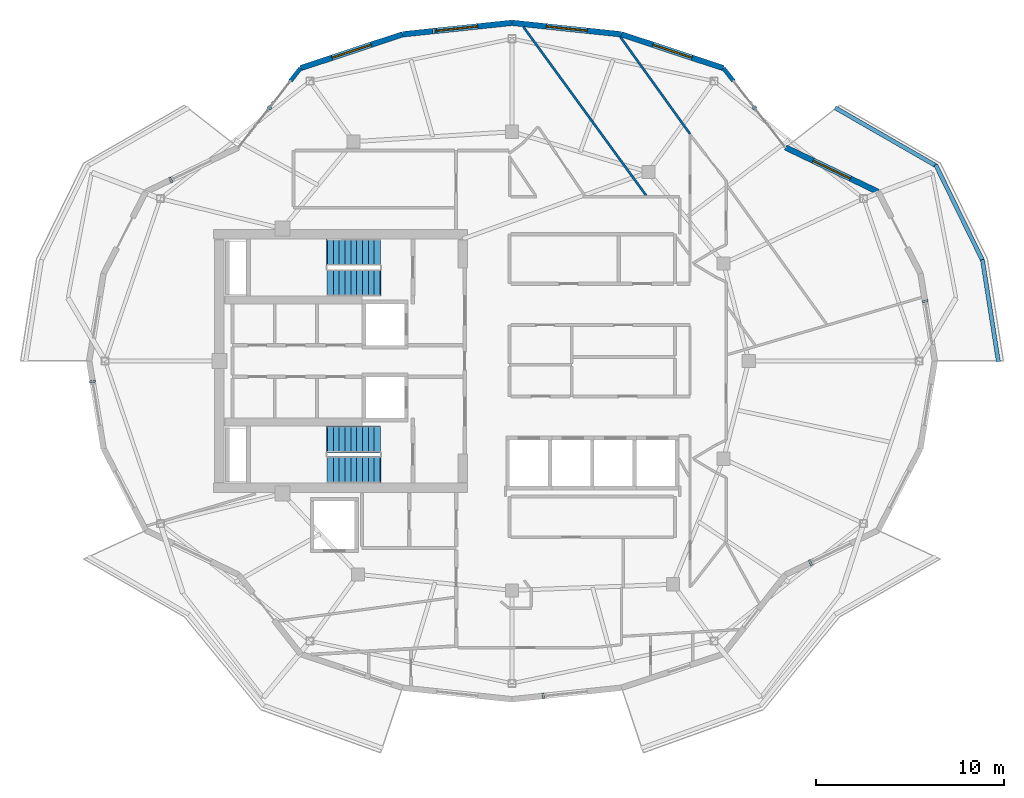
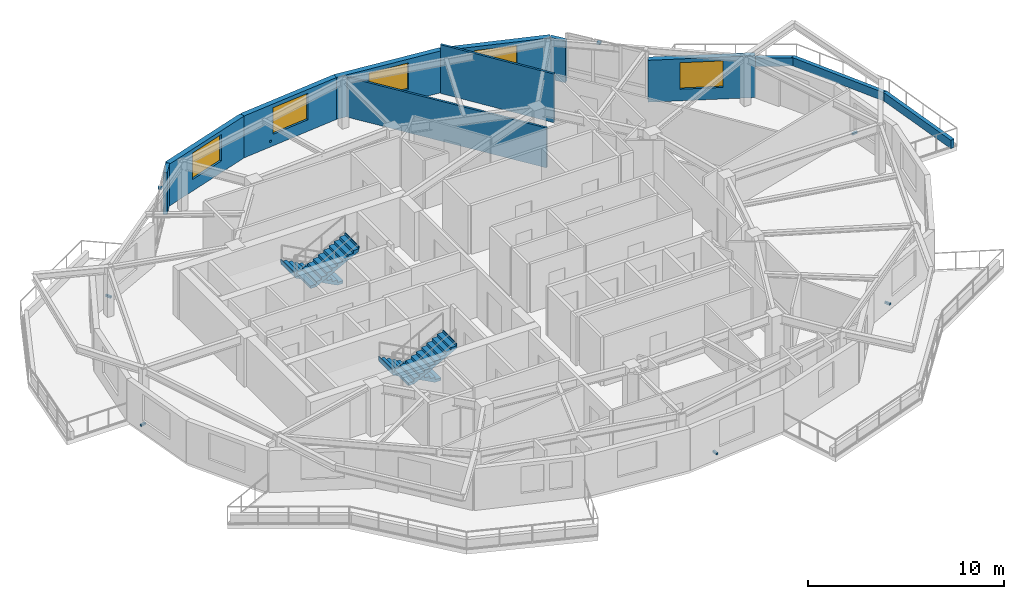
# One storey, part 11 of 14: 12 walls, 8 discrete accessories, 5 windows, 4 stair flights, 5 openings, 2 elements without a shape of their own.
"""IFC4 building model written with IfcOpenShell, lengths in metres."""

from ifc_helpers import new_model, si_unit, direction, frame, frame_2d, origin, origin_2d, place, context, subcontext, project, spatial, polyline, rectangle, outline, extrude, material, layer, layer_set, type_object, element, fill, aggregate, save


model = new_model("IFC4")

# Units and contexts
model_context = context("Model", 3, precision=1e-05, world=origin(), true_north=direction((0.0, 1.0)))
body_context = subcontext(model_context, "Body", "Model", "MODEL_VIEW")
ifc_project = project(units=[si_unit("LENGTHUNIT", "METRE"), si_unit("AREAUNIT", "SQUARE_METRE"), si_unit("VOLUMEUNIT", "CUBIC_METRE"), si_unit("PLANEANGLEUNIT", "RADIAN"), si_unit("MASSUNIT", "GRAM", prefix="KILO")], contexts=[model_context])

# Site, building, storey
site_placement = place(None, origin())
site = spatial("IfcSite", under=ifc_project, at=site_placement, CompositionType="ELEMENT")
building_placement = place(site_placement, origin())
building = spatial("IfcBuilding", under=site, at=building_placement, Name="Kolvaren Gate Tower and Convention Centre", CompositionType="ELEMENT")
storey_placement = place(building_placement, frame((0.0, 0.0, 245.89990234375)))
storey = spatial("IfcBuildingStorey", under=building, at=storey_placement, Name="L66", CompositionType="ELEMENT", Elevation=245.89990234375)

# Walls
ifc_material_1 = material(Name="Fire-Rated Acoustic Gypsum Stud Partition", Category="gypsum")
ifc_layer_1 = layer(ifc_material_1, 0.1201171875)
ifc_layer_set_1 = layer_set([ifc_layer_1], Name="Fire-Rated Acoustic Gypsum Stud Partition")
wall_type_1 = type_object("IfcWallType", Name="ARCH-WL-PART-120", PredefinedType="PARTITIONING", material=ifc_layer_set_1)
wall_1_placement = place(storey_placement, frame((30.72998046875, 44.783447265625, 0.0), z_axis=(0.0, 0.0, 1.0), x_axis=(0.588659483045, -0.808381106299, 0.0)))
element("IfcWall", 1, at=wall_1_placement, inside=storey, type_object=wall_type_1, Name="Interior Partition WL-L66-INT-081", PredefinedType="PARTITIONING", context=body_context, shape_type="SweptSolid", body=[
    extrude(rectangle(XDim=11.09814453125, YDim=0.1201171875, at=frame_2d((5.549072265625, 0.0))), origin(), (0.0, 0.0, 1.0), 2.47802734375),
])
wall_2_placement = place(storey_placement, frame((35.89599609375, 44.239501953125, 0.0), z_axis=(0.0, 0.0, 1.0), x_axis=(0.583414962814, -0.812174230793, 0.0)))
element("IfcWall", 2, at=wall_2_placement, inside=storey, type_object=wall_type_1, Name="Interior Partition WL-L66-INT-084", PredefinedType="PARTITIONING", context=body_context, shape_type="SweptSolid", body=[
    extrude(rectangle(XDim=6.34912109375, YDim=0.1201171875, at=frame_2d((3.174560546875, 0.0))), origin(), (0.0, 0.0, 1.0), 3.030029296875),
])
ifc_material_2 = material(Name="Bogota Sabana Bush-Hammered Sandstone Cladding", Category="masonry")
ifc_layer_2 = layer(ifc_material_2, 0.219970703125)
ifc_layer_set_2 = layer_set([ifc_layer_2], Name="Bogota Sabana Bush-Hammered Sandstone Cladding")
wall_type_2 = type_object("IfcWallType", Name="ARCH-WL-PIER-220", PredefinedType="SOLIDWALL", material=ifc_layer_set_2)
for number, where, z_axis, x_axis, name in (
    (3, (41.375, 42.58837890625, 0.0), (0.0, 0.0, 1.0), (0.61650363284, -0.787352062736, 0.0), "Tower L66 Unitised Curtain Wall CW-RES-UNIT Bay 03 Left Column Pier Wrap"),
    (4, (18.3349609375, 41.898681640625, 0.0), (0.0, 0.0, 1.0), (0.61650363284, 0.787352062736, 0.0), "Tower L66 Unitised Curtain Wall CW-RES-UNIT Bay 08 Right Column Pier Wrap"),
):
    element("IfcWall", number, at=place(storey_placement, frame(where, z_axis=z_axis, x_axis=x_axis)), inside=storey, type_object=wall_type_2, Name=name, PredefinedType="SOLIDWALL", context=body_context, shape_type="SweptSolid", body=[
        extrude(rectangle(XDim=0.8759765625, YDim=0.219970703125, at=frame_2d((0.43798828125, 0.0))), origin(), (0.0, 0.0, 1.0), 2.60498046875),
    ])
ifc_material_3 = material(Name="Piedmont Cream Honed Limestone Cladding", Category="masonry")
ifc_layer_3 = layer(ifc_material_3, 0.219970703125)
ifc_layer_set_3 = layer_set([ifc_layer_3], Name="Piedmont Cream Honed Limestone Cladding")
wall_type_3 = type_object("IfcWallType", Name="ARCH-WL-PLANTER-220", PredefinedType="PARAPET", material=ifc_layer_set_3)
wall_3_placement = place(storey_placement, frame((55.158447265625, 32.396484375, 0.0), z_axis=(0.0, 0.0, 1.0), x_axis=(0.154441975483, -0.988001860428, 0.0)))
element("IfcWall", 5, at=wall_3_placement, inside=storey, type_object=wall_type_3, Name="Vertical-Forest Balcony Stone Planter Kerb PK-L66-1.1", PredefinedType="PARAPET", context=body_context, shape_type="SweptSolid", body=[
    extrude(rectangle(XDim=5.49169921875, YDim=0.219970703125, at=frame_2d((2.745849609375, 0.0))), origin(), (0.0, 0.0, 1.0), 0.52001953125),
])
wall_4_placement = place(storey_placement, frame((52.66748046875, 37.446533203125, 0.0), z_axis=(0.0, 0.0, 1.0), x_axis=(0.440058847499, -0.897968936399, 0.0)))
element("IfcWall", 6, at=wall_4_placement, inside=storey, type_object=wall_type_3, Name="Vertical-Forest Balcony Stone Planter Kerb PK-L66-1.2", PredefinedType="PARAPET", context=body_context, shape_type="SweptSolid", body=[
    extrude(rectangle(XDim=5.689453125, YDim=0.219970703125, at=frame_2d((2.8447265625, 0.0))), origin(), (0.0, 0.0, 1.0), 0.52001953125),
])
wall_5_placement = place(storey_placement, frame((47.3212890625, 40.4794921875, 0.0), z_axis=(0.0, 0.0, 1.0), x_axis=(0.866901621005, -0.49847926687, 0.0)))
element("IfcWall", 7, at=wall_5_placement, inside=storey, type_object=wall_type_3, Name="Vertical-Forest Balcony Stone Planter Kerb PK-L66-1.3", PredefinedType="PARAPET", context=body_context, shape_type="SweptSolid", body=[
    extrude(rectangle(XDim=6.196533203125, YDim=0.219970703125, at=frame_2d((3.09814453125, 0.0))), origin(), (0.0, 0.0, 1.0), 0.52001953125),
])

# Wall, opening, window
ifc_layer_4 = layer(ifc_material_3, 0.300048828125)
ifc_layer_set_4 = layer_set([ifc_layer_4], Name="Piedmont Cream Honed Limestone Cladding")
wall_type_4 = type_object("IfcWallType", Name="ARCH-WL-STONE-300", PredefinedType="SOLIDWALL", material=ifc_layer_set_4)
wall_6_placement = place(storey_placement, frame((44.67724609375, 38.370361328125, 0.0), z_axis=(0.0, 0.0, 1.0), x_axis=(0.901355238351, -0.433080517106, 0.0)))
wall_6 = element("IfcWall", 8, at=wall_6_placement, inside=storey, type_object=wall_type_4, Name="Tower L66 Honed Stone Spandrel Wall EW-02", PredefinedType="SOLIDWALL", context=body_context, shape_type="SweptSolid", body=[
    extrude(rectangle(XDim=5.47314453125, YDim=0.300048828125, at=frame_2d((2.736572265625, 0.0))), origin(), (0.0, 0.0, 1.0), 2.60498046875),
])
opening_1_placement = place(wall_6_placement, frame((1.636962890625, 0.0, 0.719970703125)))
opening_1 = element("IfcOpeningElement", 9, at=opening_1_placement, cuts=wall_6, Name="Opening W-03", PredefinedType="OPENING", context=body_context, shape_type="SweptSolid", body=[
    extrude(rectangle(XDim=2.199951171875, YDim=1.64990234375, at=frame_2d((1.10009765625, 0.824951171875))), frame((0.0, 0.159912109375, 0.0), z_axis=(0.0, -1.0, 0.0), x_axis=(1.0, 0.0, 0.0)), (0.0, 0.0, 1.0), 0.320068359375),
])
ifc_material_4 = material(Name="Low-E Triple Insulated Glazing Unit 44 mm", Category="glass")
window_type = type_object("IfcWindowType", Name="ARCH-WN-RES-2200", PartitioningType="SINGLE_PANEL", PredefinedType="WINDOW", material=ifc_material_4)
window_1_placement = place(opening_1_placement, origin())
window_1 = element("IfcWindow", 10, at=window_1_placement, inside=storey, type_object=window_type, Name="Tower L66 Punched Stone Facade Window W-02", OverallHeight=1.64990234375, OverallWidth=2.199951171875, PartitioningType="SINGLE_PANEL", PredefinedType="WINDOW", context=body_context, shape_type="SweptSolid", body=[
    extrude(rectangle(XDim=2.199951171875, YDim=1.64990234375, at=frame_2d((1.10009765625, 0.824951171875))), frame((0.0, 0.030029296875, 0.0), z_axis=(0.0, -1.0, 0.0), x_axis=(1.0, 0.0, 0.0)), (0.0, 0.0, 1.0), 0.06005859375),
])
fill(opening_1, window_1)

wall_7_placement = place(storey_placement, frame((35.948486328125, 44.38671875, 0.0), z_axis=(0.0, 0.0, 1.0), x_axis=(0.949232769585, -0.314574552605, 0.0)))
wall_7 = element("IfcWall", 11, at=wall_7_placement, inside=storey, type_object=wall_type_4, Name="Tower L66 Honed Stone Spandrel Wall EW-04", PredefinedType="SOLIDWALL", context=body_context, shape_type="SweptSolid", body=[
    extrude(rectangle(XDim=5.716796875, YDim=0.300048828125, at=frame_2d((2.8583984375, 0.0))), origin(), (0.0, 0.0, 1.0), 2.60498046875),
])
opening_2_placement = place(wall_7_placement, frame((1.758056640625, 0.0, 0.719970703125)))
opening_2 = element("IfcOpeningElement", 12, at=opening_2_placement, cuts=wall_7, Name="Opening W-03", PredefinedType="OPENING", context=body_context, shape_type="SweptSolid", body=[
    extrude(rectangle(XDim=2.199951171875, YDim=1.64990234375, at=frame_2d((1.10009765625, 0.824951171875))), frame((0.0, 0.159912109375, 0.0), z_axis=(0.0, -1.0, 0.0), x_axis=(1.0, 0.0, 0.0)), (0.0, 0.0, 1.0), 0.320068359375),
])
window_2_placement = place(opening_2_placement, origin())
window_2 = element("IfcWindow", 13, at=window_2_placement, inside=storey, type_object=window_type, Name="Tower L66 Punched Stone Facade Window W-04", OverallHeight=1.64990234375, OverallWidth=2.199951171875, PartitioningType="SINGLE_PANEL", PredefinedType="WINDOW", context=body_context, shape_type="SweptSolid", body=[
    extrude(rectangle(XDim=2.199951171875, YDim=1.64990234375, at=frame_2d((1.10009765625, 0.824951171875))), frame((0.0, 0.030029296875, 0.0), z_axis=(0.0, -1.0, 0.0), x_axis=(1.0, 0.0, 0.0)), (0.0, 0.0, 1.0), 0.06005859375),
])
fill(opening_2, window_2)

wall_8_placement = place(storey_placement, frame((30.125, 45.0, 0.0), z_axis=(0.0, 0.0, 1.0), x_axis=(0.994500425783, -0.10473253132, 0.0)))
wall_8 = element("IfcWall", 14, at=wall_8_placement, inside=storey, type_object=wall_type_4, Name="Tower L66 Honed Stone Spandrel Wall EW-05", PredefinedType="SOLIDWALL", context=body_context, shape_type="SweptSolid", body=[
    extrude(rectangle(XDim=5.855712890625, YDim=0.300048828125, at=frame_2d((2.927734375, 0.0))), origin(), (0.0, 0.0, 1.0), 2.60498046875),
])
opening_3_placement = place(wall_8_placement, frame((1.827880859375, 0.0, 0.719970703125)))
opening_3 = element("IfcOpeningElement", 15, at=opening_3_placement, cuts=wall_8, Name="Opening W-03", PredefinedType="OPENING", context=body_context, shape_type="SweptSolid", body=[
    extrude(rectangle(XDim=2.199951171875, YDim=1.64990234375, at=frame_2d((1.10009765625, 0.824951171875))), frame((0.0, 0.159912109375, 0.0), z_axis=(0.0, -1.0, 0.0), x_axis=(1.0, 0.0, 0.0)), (0.0, 0.0, 1.0), 0.320068359375),
])
window_3_placement = place(opening_3_placement, origin())
window_3 = element("IfcWindow", 16, at=window_3_placement, inside=storey, type_object=window_type, Name="Tower L66 Punched Stone Facade Window W-05", OverallHeight=1.64990234375, OverallWidth=2.199951171875, PartitioningType="SINGLE_PANEL", PredefinedType="WINDOW", context=body_context, shape_type="SweptSolid", body=[
    extrude(rectangle(XDim=2.199951171875, YDim=1.64990234375, at=frame_2d((1.10009765625, 0.824951171875))), frame((0.0, 0.030029296875, 0.0), z_axis=(0.0, -1.0, 0.0), x_axis=(1.0, 0.0, 0.0)), (0.0, 0.0, 1.0), 0.06005859375),
])
fill(opening_3, window_3)

wall_9_placement = place(storey_placement, frame((24.301513671875, 44.38671875, 0.0), z_axis=(0.0, 0.0, 1.0), x_axis=(0.994500425783, 0.10473253132, 0.0)))
wall_9 = element("IfcWall", 17, at=wall_9_placement, inside=storey, type_object=wall_type_4, Name="Tower L66 Honed Stone Spandrel Wall EW-06", PredefinedType="SOLIDWALL", context=body_context, shape_type="SweptSolid", body=[
    extrude(rectangle(XDim=5.855712890625, YDim=0.300048828125, at=frame_2d((2.927734375, 0.0))), origin(), (0.0, 0.0, 1.0), 2.60498046875),
])
opening_4_placement = place(wall_9_placement, frame((1.827880859375, 0.0, 0.719970703125)))
opening_4 = element("IfcOpeningElement", 18, at=opening_4_placement, cuts=wall_9, Name="Opening W-03", PredefinedType="OPENING", context=body_context, shape_type="SweptSolid", body=[
    extrude(rectangle(XDim=2.199951171875, YDim=1.64990234375, at=frame_2d((1.10009765625, 0.824951171875))), frame((0.0, 0.159912109375, 0.0), z_axis=(0.0, -1.0, 0.0), x_axis=(1.0, 0.0, 0.0)), (0.0, 0.0, 1.0), 0.320068359375),
])
window_4_placement = place(opening_4_placement, origin())
window_4 = element("IfcWindow", 19, at=window_4_placement, inside=storey, type_object=window_type, Name="Tower L66 Punched Stone Facade Window W-06", OverallHeight=1.64990234375, OverallWidth=2.199951171875, PartitioningType="SINGLE_PANEL", PredefinedType="WINDOW", context=body_context, shape_type="SweptSolid", body=[
    extrude(rectangle(XDim=2.199951171875, YDim=1.64990234375, at=frame_2d((1.10009765625, 0.824951171875))), frame((0.0, 0.030029296875, 0.0), z_axis=(0.0, -1.0, 0.0), x_axis=(1.0, 0.0, 0.0)), (0.0, 0.0, 1.0), 0.06005859375),
])
fill(opening_4, window_4)

wall_10_placement = place(storey_placement, frame((18.875, 42.58837890625, 0.0), z_axis=(0.0, 0.0, 1.0), x_axis=(0.949232769585, 0.314574552605, 0.0)))
wall_10 = element("IfcWall", 20, at=wall_10_placement, inside=storey, type_object=wall_type_4, Name="Tower L66 Honed Stone Spandrel Wall EW-07", PredefinedType="SOLIDWALL", context=body_context, shape_type="SweptSolid", body=[
    extrude(rectangle(XDim=5.716796875, YDim=0.300048828125, at=frame_2d((2.8583984375, 0.0))), origin(), (0.0, 0.0, 1.0), 2.60498046875),
])
opening_5_placement = place(wall_10_placement, frame((1.758056640625, 0.0, 0.719970703125)))
opening_5 = element("IfcOpeningElement", 21, at=opening_5_placement, cuts=wall_10, Name="Opening W-03", PredefinedType="OPENING", context=body_context, shape_type="SweptSolid", body=[
    extrude(rectangle(XDim=2.199951171875, YDim=1.64990234375, at=frame_2d((1.10009765625, 0.824951171875))), frame((0.0, 0.159912109375, 0.0), z_axis=(0.0, -1.0, 0.0), x_axis=(1.0, 0.0, 0.0)), (0.0, 0.0, 1.0), 0.320068359375),
])
window_5_placement = place(opening_5_placement, origin())
window_5 = element("IfcWindow", 22, at=window_5_placement, inside=storey, type_object=window_type, Name="Tower L66 Punched Stone Facade Window W-07", OverallHeight=1.64990234375, OverallWidth=2.199951171875, PartitioningType="SINGLE_PANEL", PredefinedType="WINDOW", context=body_context, shape_type="SweptSolid", body=[
    extrude(rectangle(XDim=2.199951171875, YDim=1.64990234375, at=frame_2d((1.10009765625, 0.824951171875))), frame((0.0, 0.030029296875, 0.0), z_axis=(0.0, -1.0, 0.0), x_axis=(1.0, 0.0, 0.0)), (0.0, 0.0, 1.0), 0.06005859375),
])
fill(opening_5, window_5)

# Stair, stair flights
ifc_material_5 = material(Name="Concrete C50/60", Category="concrete")
stair_type = type_object("IfcStairType", Name="STR-STAIR-CORE", PredefinedType="HALF_TURN_STAIR", material=ifc_material_5)
stair_1_placement = place(storey_placement, origin())
stair_1 = element("IfcStair", 23, at=stair_1_placement, inside=storey, type_object=stair_type, Name="L66 Tower North Exit Stair ST-T1", PredefinedType="HALF_TURN_STAIR")
stair_flight_type = type_object("IfcStairFlightType", Name="STR-SFL-1420", PredefinedType="STRAIGHT", material=ifc_material_5)
stair_flight_1_placement = place(storey_placement, frame((23.10009765625, 32.7900390625, 0.0), z_axis=(0.0, 0.0, 1.0), x_axis=(-1.0, 0.0, 0.0)))
stair_flight_1 = element("IfcStairFlight", 24, at=stair_flight_1_placement, type_object=stair_flight_type, Name="ST-T1 flight 1", NumberOfRisers=10, NumberOfTreads=9, PredefinedType="STRAIGHT", RiserHeight=0.165, TreadLength=0.31, context=body_context, shape_type="SweptSolid", body=[
    extrude(outline(polyline([(-0.034912109375, 0.0), (-0.034912109375, 0.1650390625), (0.31005859375, 0.1650390625), (0.31005859375, 0.330078125), (0.6201171875, 0.330078125), (0.6201171875, 0.4951171875), (0.929931640625, 0.4951171875), (0.929931640625, 0.659912109375), (1.239990234375, 0.659912109375), (1.239990234375, 0.824951171875), (1.550048828125, 0.824951171875), (1.550048828125, 0.989990234375), (1.860107421875, 0.989990234375), (1.860107421875, 1.155029296875), (2.169921875, 1.155029296875), (2.169921875, 1.320068359375), (2.47998046875, 1.320068359375), (2.47998046875, 1.485107421875), (2.7900390625, 1.485107421875), (2.7900390625, 1.64990234375), (2.8349609375, 1.64990234375), (2.8349609375, 1.489990234375), (2.7900390625, 1.315185546875), (0.319091796875, 0.0), (-0.034912109375, 0.0)])), frame((0.0, 0.7099609375, 0.0), z_axis=(0.0, -1.0, 0.0), x_axis=(1.0, 0.0, 0.0)), (0.0, 0.0, 1.0), 1.419921875),
])
stair_flight_2_placement = place(storey_placement, frame((20.31005859375, 31.169921875, 1.650146484375), z_axis=(0.0, 0.0, 1.0), x_axis=(1.0, 0.0, 0.0)))
stair_flight_2 = element("IfcStairFlight", 25, at=stair_flight_2_placement, type_object=stair_flight_type, Name="ST-T1 flight 2", NumberOfRisers=10, NumberOfTreads=9, PredefinedType="STRAIGHT", RiserHeight=0.165, TreadLength=0.31, context=body_context, shape_type="SweptSolid", body=[
    extrude(outline(polyline([(-0.034912109375, 0.0), (-0.034912109375, 0.1650390625), (0.31005859375, 0.1650390625), (0.31005859375, 0.330078125), (0.6201171875, 0.330078125), (0.6201171875, 0.4951171875), (0.929931640625, 0.4951171875), (0.929931640625, 0.659912109375), (1.239990234375, 0.659912109375), (1.239990234375, 0.824951171875), (1.550048828125, 0.824951171875), (1.550048828125, 0.989990234375), (1.860107421875, 0.989990234375), (1.860107421875, 1.155029296875), (2.169921875, 1.155029296875), (2.169921875, 1.320068359375), (2.47998046875, 1.320068359375), (2.47998046875, 1.485107421875), (2.7900390625, 1.485107421875), (2.7900390625, 1.64990234375), (2.8349609375, 1.64990234375), (2.8349609375, 1.489990234375), (2.7900390625, 1.315185546875), (0.319091796875, 0.0), (-0.034912109375, 0.0)])), frame((0.0, 0.7099609375, 0.0), z_axis=(0.0, -1.0, 0.0), x_axis=(1.0, 0.0, 0.0)), (0.0, 0.0, 1.0), 1.419921875),
])
aggregate(stair_1, [stair_flight_1, stair_flight_2])

stair_2_placement = place(storey_placement, origin())
stair_2 = element("IfcStair", 26, at=stair_2_placement, inside=storey, type_object=stair_type, Name="L66 Tower South Exit Stair ST-T2", PredefinedType="HALF_TURN_STAIR")
stair_flight_3_placement = place(storey_placement, frame((23.10009765625, 22.830078125, 0.0), z_axis=(0.0, 0.0, 1.0), x_axis=(-1.0, 0.0, 0.0)))
stair_flight_3 = element("IfcStairFlight", 27, at=stair_flight_3_placement, type_object=stair_flight_type, Name="ST-T2 flight 1", NumberOfRisers=10, NumberOfTreads=9, PredefinedType="STRAIGHT", RiserHeight=0.165, TreadLength=0.31, context=body_context, shape_type="SweptSolid", body=[
    extrude(outline(polyline([(-0.034912109375, 0.0), (-0.034912109375, 0.1650390625), (0.31005859375, 0.1650390625), (0.31005859375, 0.330078125), (0.6201171875, 0.330078125), (0.6201171875, 0.4951171875), (0.929931640625, 0.4951171875), (0.929931640625, 0.659912109375), (1.239990234375, 0.659912109375), (1.239990234375, 0.824951171875), (1.550048828125, 0.824951171875), (1.550048828125, 0.989990234375), (1.860107421875, 0.989990234375), (1.860107421875, 1.155029296875), (2.169921875, 1.155029296875), (2.169921875, 1.320068359375), (2.47998046875, 1.320068359375), (2.47998046875, 1.485107421875), (2.7900390625, 1.485107421875), (2.7900390625, 1.64990234375), (2.8349609375, 1.64990234375), (2.8349609375, 1.489990234375), (2.7900390625, 1.315185546875), (0.319091796875, 0.0), (-0.034912109375, 0.0)])), frame((0.0, 0.7099609375, 0.0), z_axis=(0.0, -1.0, 0.0), x_axis=(1.0, 0.0, 0.0)), (0.0, 0.0, 1.0), 1.419921875),
])
stair_flight_4_placement = place(storey_placement, frame((20.31005859375, 21.2099609375, 1.650146484375), z_axis=(0.0, 0.0, 1.0), x_axis=(1.0, 0.0, 0.0)))
stair_flight_4 = element("IfcStairFlight", 28, at=stair_flight_4_placement, type_object=stair_flight_type, Name="ST-T2 flight 2", NumberOfRisers=10, NumberOfTreads=9, PredefinedType="STRAIGHT", RiserHeight=0.165, TreadLength=0.31, context=body_context, shape_type="SweptSolid", body=[
    extrude(outline(polyline([(-0.034912109375, 0.0), (-0.034912109375, 0.1650390625), (0.31005859375, 0.1650390625), (0.31005859375, 0.330078125), (0.6201171875, 0.330078125), (0.6201171875, 0.4951171875), (0.929931640625, 0.4951171875), (0.929931640625, 0.659912109375), (1.239990234375, 0.659912109375), (1.239990234375, 0.824951171875), (1.550048828125, 0.824951171875), (1.550048828125, 0.989990234375), (1.860107421875, 0.989990234375), (1.860107421875, 1.155029296875), (2.169921875, 1.155029296875), (2.169921875, 1.320068359375), (2.47998046875, 1.320068359375), (2.47998046875, 1.485107421875), (2.7900390625, 1.485107421875), (2.7900390625, 1.64990234375), (2.8349609375, 1.64990234375), (2.8349609375, 1.489990234375), (2.7900390625, 1.315185546875), (0.319091796875, 0.0), (-0.034912109375, 0.0)])), frame((0.0, 0.7099609375, 0.0), z_axis=(0.0, -1.0, 0.0), x_axis=(1.0, 0.0, 0.0)), (0.0, 0.0, 1.0), 1.419921875),
])
aggregate(stair_2, [stair_flight_3, stair_flight_4])

# Discrete accessories
ifc_material_6 = material(Name="Anodized Architectural Aluminium Alloy 6063-T6", Category="aluminium")
discrete_accessory_type = type_object("IfcDiscreteAccessoryType", Name="ARCH-ACC-BRACKET-120", PredefinedType="BRACKET", material=ifc_material_6)
discrete_accessory_1_placement = place(storey_placement, frame((52.100341796875, 30.1884765625, 0.2900390625), z_axis=(0.0, 0.0, 1.0), x_axis=(0.162389178836, -0.986726788223, 0.0)))
element("IfcDiscreteAccessory", 29, at=discrete_accessory_1_placement, inside=storey, type_object=discrete_accessory_type, Name="Ceramic Fin Wall Anchor Bracket FBK-L66-00", PredefinedType="BRACKET", context=body_context, shape_type="SweptSolid", body=[
    extrude(rectangle(XDim=0.1201171875, YDim=0.320068359375, at=origin_2d()), origin(), (0.0, 0.0, 1.0), 0.1201171875),
])
discrete_accessory_2_placement = place(storey_placement, frame((43.026123046875, 40.4794921875, 2.85009765625), z_axis=(0.0, 0.0, 1.0), x_axis=(0.616435493395, -0.787405411769, 0.0)))
element("IfcDiscreteAccessory", 30, at=discrete_accessory_2_placement, inside=storey, type_object=discrete_accessory_type, Name="Solar Screen Spandrel Anchor Bracket BK-L66-03", PredefinedType="BRACKET", context=body_context, shape_type="SweptSolid", body=[
    extrude(rectangle(XDim=0.179931640625, YDim=0.219970703125, at=origin_2d()), origin(), (0.0, 0.0, 1.0), 0.1201171875),
])
discrete_accessory_3_placement = place(storey_placement, frame((25.96044921875, 44.561279296875, 0.2900390625), z_axis=(0.0, 0.0, 1.0), x_axis=(0.994499981166, 0.104736753152, 0.0)))
element("IfcDiscreteAccessory", 31, at=discrete_accessory_3_placement, inside=storey, type_object=discrete_accessory_type, Name="Ceramic Fin Wall Anchor Bracket FBK-L66-06", PredefinedType="BRACKET", context=body_context, shape_type="SweptSolid", body=[
    extrude(rectangle(XDim=0.1201171875, YDim=0.320068359375, at=origin_2d()), origin(), (0.0, 0.0, 1.0), 0.1201171875),
])
discrete_accessory_4_placement = place(storey_placement, frame((17.223876953125, 40.4794921875, 2.85009765625), z_axis=(0.0, 0.0, 1.0), x_axis=(0.616435493395, 0.787405411769, 0.0)))
element("IfcDiscreteAccessory", 32, at=discrete_accessory_4_placement, inside=storey, type_object=discrete_accessory_type, Name="Solar Screen Spandrel Anchor Bracket BK-L66-08", PredefinedType="BRACKET", context=body_context, shape_type="SweptSolid", body=[
    extrude(rectangle(XDim=0.179931640625, YDim=0.219970703125, at=origin_2d()), origin(), (0.0, 0.0, 1.0), 0.1201171875),
])
for number, where, z_axis, x_axis, name in (
    (33, (11.970703125, 36.6396484375, 0.2900390625), (0.0, 0.0, 1.0), (0.901357634097, 0.433075530889, 0.0), "Ceramic Fin Wall Anchor Bracket FBK-L66-09"),
    (34, (7.8037109375, 25.91357421875, 0.2900390625), (0.0, 0.0, 1.0), (0.162389178836, -0.986726788223, 0.0), "Ceramic Fin Wall Anchor Bracket FBK-L66-12"),
    (35, (31.78369140625, 9.1748046875, 0.2900390625), (0.0, 0.0, 1.0), (0.994499981166, 0.104736753152, 0.0), "Ceramic Fin Wall Anchor Bracket FBK-L66-18"),
    (36, (46.008544921875, 16.269287109375, 0.2900390625), (0.0, 0.0, 1.0), (0.901357634097, 0.433075530889, 0.0), "Ceramic Fin Wall Anchor Bracket FBK-L66-21"),
):
    element("IfcDiscreteAccessory", number, at=place(storey_placement, frame(where, z_axis=z_axis, x_axis=x_axis)), inside=storey, type_object=discrete_accessory_type, Name=name, PredefinedType="BRACKET", context=body_context, shape_type="SweptSolid", body=[
        extrude(rectangle(XDim=0.1201171875, YDim=0.320068359375, at=origin_2d()), origin(), (0.0, 0.0, 1.0), 0.1201171875),
    ])

save(model, "model.ifc")
